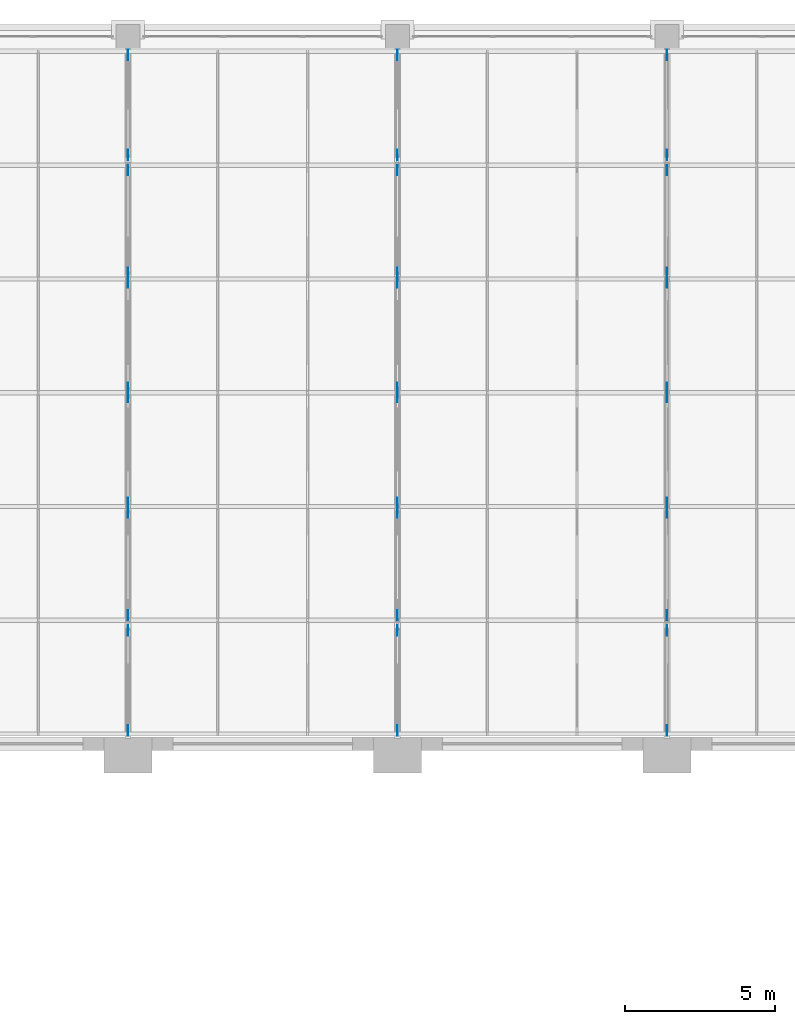
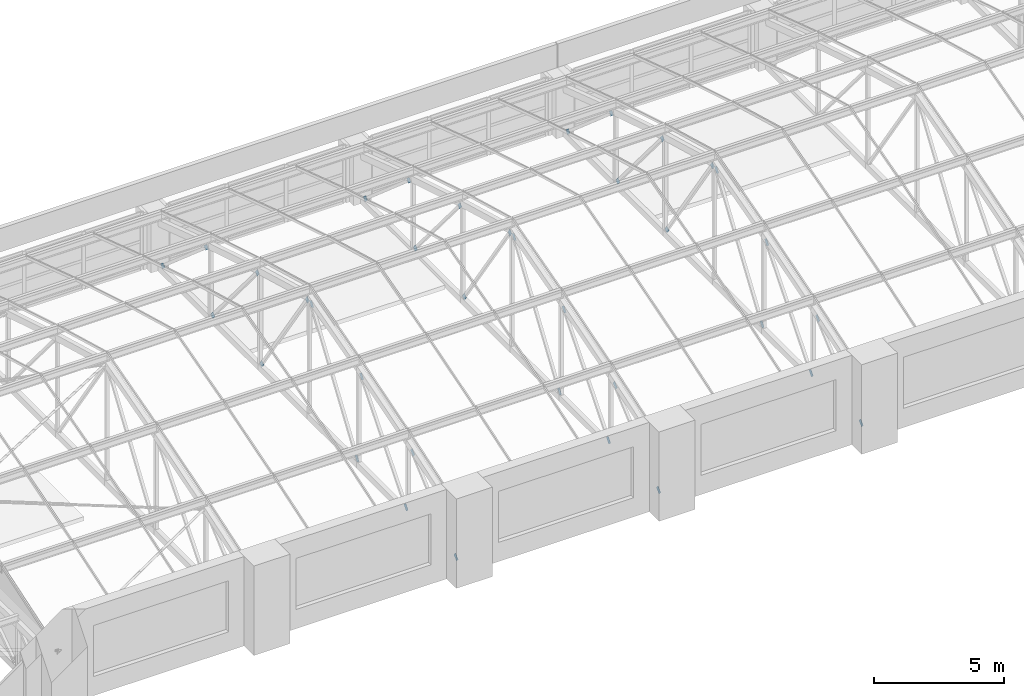
# One storey, part 67 of 82: 36 discrete accessories.
"""IFC4 building model written with IfcOpenShell, lengths in metres."""

import ifcopenshell
import ifcopenshell.guid

model = None  # the IFC model being written
_history = None  # IfcOwnerHistory: only IFC2X3 demands one
_inside = {}  # id of a spatial element -> (the spatial element, [elements in it])
_under = {}  # id of a project, library or spatial element -> (it, [spatial elements below it])
_declared = {}  # id of a project -> (the project, [libraries it declares])
_typed = {}  # id of a type object -> (the type object, [elements of that type])
_made_of = {}  # id of a material, layer set ... -> (it, [elements and type objects made of it])


def new_model(schema):
    """Start an empty IFC model of exactly this schema.

    Asked for "IFC4X3", IfcOpenShell would pick the latest addendum, in which some entities
    have other attributes; the version numbers below select the first issue.
    IFC2X3 requires an IfcOwnerHistory on every rooted entity: one is made here for all.
    """
    global model, _history
    if schema == "IFC4X3":
        model = ifcopenshell.file(schema_version=(4, 3, 0, 0))
    else:
        model = ifcopenshell.file(schema=schema)
    _inside.clear()
    _under.clear()
    _declared.clear()
    _typed.clear()
    _made_of.clear()
    _history = None
    if model.schema == "IFC2X3":
        org = make("IfcOrganization", Name="unknown")
        user = make(
            "IfcPersonAndOrganization",
            ThePerson=make("IfcPerson", FamilyName="unknown"),
            TheOrganization=org,
        )
        app = make(
            "IfcApplication",
            ApplicationDeveloper=org,
            Version="unknown",
            ApplicationFullName="unknown",
            ApplicationIdentifier="unknown",
        )
        _history = make(
            "IfcOwnerHistory",
            OwningUser=user,
            OwningApplication=app,
            ChangeAction="ADDED",
            CreationDate=0,
        )
    return model


def make(cls, **values):
    """One entity of the class cls with the attributes given. An attribute that is None is left unset."""
    return model.create_entity(
        cls, **{name: value for name, value in values.items() if value is not None}
    )


def rooted(cls, **values):
    """An entity with a GlobalId (a new one), such as an element, a storey or a relation."""
    return make(cls, GlobalId=ifcopenshell.guid.new(), OwnerHistory=_history, **values)


def si_unit(unit_type, name, prefix=None):
    """IfcSIUnit, for example si_unit("LENGTHUNIT", "METRE", prefix="MILLI")."""
    return make("IfcSIUnit", UnitType=unit_type, Prefix=prefix, Name=name)


def assignment(units):
    """IfcUnitAssignment: the units of a project."""
    return None if units is None else make("IfcUnitAssignment", Units=units)


def point(xyz):
    """IfcCartesianPoint."""
    return None if xyz is None else make("IfcCartesianPoint", Coordinates=xyz)


def direction(xyz):
    """IfcDirection."""
    return None if xyz is None else make("IfcDirection", DirectionRatios=xyz)


def frame(location, z_axis=None, x_axis=None):
    """IfcAxis2Placement3D, a coordinate frame: its origin and axes. An axis left out is left unset."""
    return make(
        "IfcAxis2Placement3D",
        Location=point(location),
        Axis=direction(z_axis),
        RefDirection=direction(x_axis),
    )


def origin():
    """The frame at (0, 0, 0) with its axes left unset."""
    return frame((0.0, 0.0, 0.0))


def place(relative_to, where):
    """IfcLocalPlacement: puts the frame where relative to a parent placement (None: the world)."""
    return make(
        "IfcLocalPlacement", PlacementRelTo=relative_to, RelativePlacement=where
    )


def context(
    kind, dimensions, precision=None, world=None, true_north=None, identifier=None
):
    """IfcGeometricRepresentationContext, for example the 3D "Model" context."""
    return make(
        "IfcGeometricRepresentationContext",
        ContextIdentifier=identifier,
        ContextType=kind,
        CoordinateSpaceDimension=dimensions,
        Precision=precision,
        WorldCoordinateSystem=world,
        TrueNorth=true_north,
    )


def subcontext(parent, identifier, kind, view, scale=None):
    """IfcGeometricRepresentationSubContext, for example "Body" below "Model"."""
    return make(
        "IfcGeometricRepresentationSubContext",
        ContextIdentifier=identifier,
        ContextType=kind,
        ParentContext=parent,
        TargetScale=scale,
        TargetView=view,
    )


def project(units=None, contexts=None):
    """IfcProject with its units and contexts."""
    return rooted(
        "IfcProject",
        Name="project",
        RepresentationContexts=contexts,
        UnitsInContext=assignment(units),
    )


def spatial(cls, under=None, at=None, **own):
    """A site, building, storey or space (cls), placed at a placement, below another one or the project."""
    s = rooted(cls, ObjectPlacement=at, **own)
    if under is not None:
        _under.setdefault(under.id(), (under, []))[1].append(s)
    return s


def polyline(points):
    """IfcPolyline through the points."""
    return make("IfcPolyline", Points=[point(p) for p in points])


def outline(outer, holes=None, kind="AREA"):
    """IfcArbitraryClosedProfileDef: a profile drawn as a closed curve; with holes, ...WithVoids."""
    if holes is None:
        return make("IfcArbitraryClosedProfileDef", ProfileType=kind, OuterCurve=outer)
    return make(
        "IfcArbitraryProfileDefWithVoids",
        ProfileType=kind,
        OuterCurve=outer,
        InnerCurves=holes,
    )


def extrude(swept, where, along, depth):
    """IfcExtrudedAreaSolid: the profile swept, set in the frame where, extruded along a direction by depth."""
    return make(
        "IfcExtrudedAreaSolid",
        SweptArea=swept,
        Position=where,
        ExtrudedDirection=direction(along),
        Depth=depth,
    )


def shape(context_of_items, identifier, shape_type, items):
    """IfcShapeRepresentation: the items that make up one representation, for example the "Body"."""
    return make(
        "IfcShapeRepresentation",
        ContextOfItems=context_of_items,
        RepresentationIdentifier=identifier,
        RepresentationType=shape_type,
        Items=items,
    )


def material(Name=None, Category=None):
    """IfcMaterial."""
    return make("IfcMaterial", Name=Name, Category=Category)


def layer(
    of_material, thickness, ventilated=None, Name=None, Category=None, Priority=None
):
    """IfcMaterialLayer: one layer of a wall or slab, of a material (None: an air gap)."""
    return make(
        "IfcMaterialLayer",
        Material=of_material,
        LayerThickness=thickness,
        IsVentilated=ventilated,
        Name=Name,
        Category=Category,
        Priority=Priority,
    )


def layer_set(layers, Name=None):
    """IfcMaterialLayerSet."""
    return make("IfcMaterialLayerSet", MaterialLayers=layers, LayerSetName=Name)


def made_of(thing, what):
    """Note that an element or type object is made of a material, layer set ...; save() writes the relation."""
    if what is not None:
        _made_of.setdefault(what.id(), (what, []))[1].append(thing)
    return thing


def type_object(cls, material=None, **own):
    """A type object (cls), such as IfcWallType, which elements share."""
    return made_of(rooted(cls, **own), material)


def element(
    cls,
    number,
    at=None,
    inside=None,
    cuts=None,
    type_object=None,
    material=None,
    context=None,
    identifier="Body",
    shape_type=None,
    held_by="IfcProductDefinitionShape",
    body=None,
    shapes=None,
    **own,
):
    """One element of the class cls, such as IfcWall. Its Tag is "e" and its number.

    at: its placement. inside: the storey or other place that contains it. cuts: it is an
    opening in that element (IfcRelVoidsElement). A single representation is given by context,
    identifier, shape_type and body (its items); several are given by shapes. held_by: the class
    of the entity that holds the representations. save() writes the other relations.
    """
    e = rooted(cls, Tag="e%d" % number, ObjectPlacement=at, **own)
    if body is not None:
        shapes = [shape(context, identifier, shape_type, body)]
    if shapes is not None:
        e.Representation = make(held_by, Representations=shapes)
    if inside is not None:
        _inside.setdefault(inside.id(), (inside, []))[1].append(e)
    if cuts is not None:
        rooted(
            "IfcRelVoidsElement", RelatingBuildingElement=cuts, RelatedOpeningElement=e
        )
    if type_object is not None:
        _typed.setdefault(type_object.id(), (type_object, []))[1].append(e)
    return made_of(e, material)


def aggregate(whole, parts):
    """IfcRelAggregates: a whole, such as a stair, and the parts it consists of."""
    return rooted("IfcRelAggregates", RelatingObject=whole, RelatedObjects=parts)


def save(model, path):
    """Write the relations noted so far, then the file.

    IfcRelAggregates (storeys below a building ...), IfcRelContainedInSpatialStructure (elements
    in a storey), IfcRelDefinesByType, IfcRelAssociatesMaterial and IfcRelDeclares: one each for
    every whole, place, type object, material and project.
    """
    for whole, parts in _under.values():
        aggregate(whole, parts)
    for where, things in _inside.values():
        rooted(
            "IfcRelContainedInSpatialStructure",
            RelatedElements=things,
            RelatingStructure=where,
        )
    for kind, things in _typed.values():
        rooted("IfcRelDefinesByType", RelatedObjects=things, RelatingType=kind)
    for what, things in _made_of.values():
        rooted("IfcRelAssociatesMaterial", RelatedObjects=things, RelatingMaterial=what)
    for by, libraries in _declared.values():
        rooted("IfcRelDeclares", RelatingContext=by, RelatedDefinitions=libraries)
    model.write(path)


model = new_model("IFC4")

# Units and contexts
model_context = context("Model", 3, precision=1e-05, world=origin(), true_north=direction((0.0, 1.0)))
body_context = subcontext(model_context, "Body", "Model", "MODEL_VIEW")
ifc_project = project(units=[si_unit("LENGTHUNIT", "METRE"), si_unit("AREAUNIT", "SQUARE_METRE"), si_unit("VOLUMEUNIT", "CUBIC_METRE"), si_unit("PLANEANGLEUNIT", "RADIAN"), si_unit("MASSUNIT", "GRAM", prefix="KILO")], contexts=[model_context])

# Site, building, storey
site_placement = place(None, origin())
site = spatial("IfcSite", under=ifc_project, at=site_placement, CompositionType="ELEMENT")
building_placement = place(site_placement, origin())
building = spatial("IfcBuilding", under=site, at=building_placement, Name="Aravalli Gate Trade Fair Centre", CompositionType="ELEMENT")
storey_placement = place(building_placement, frame((0.0, 0.0, 19.199951171875)))
storey = spatial("IfcBuildingStorey", under=building, at=storey_placement, Name="L04", CompositionType="ELEMENT", Elevation=19.199951171875)

# Discrete accessories
ifc_material = material(Name="Steel E350", Category="steel")
ifc_layer = layer(ifc_material, 0.010009765625)
ifc_layer_set = layer_set([ifc_layer], Name="Steel E350")
discrete_accessory_type = type_object("IfcDiscreteAccessoryType", Name="Gusset plate 200 x 200 x 10", PredefinedType="USERDEFINED", material=ifc_layer_set)
discrete_accessory_1_placement = place(storey_placement, frame((32.9951171875, 109.990234375, 0.355224609375), z_axis=(-1.0, 0.0, 0.0), x_axis=(0.0, -0.756666176812, -0.653801420057)))
element("IfcDiscreteAccessory", 1, at=discrete_accessory_1_placement, inside=storey, type_object=discrete_accessory_type, Name="Gusset plate Concourse vault truss CT1 line 04 diagonal D1 end A", ObjectType="GUSSET PLATE", PredefinedType="USERDEFINED", context=body_context, shape_type="SweptSolid", body=[
    extrude(outline(polyline([(0.0, 0.0), (0.28006281897354945, 0.0), (0.28009048635135136, 0.1997461238225559), (5.27808438066657e-05, 0.2000904762631978), (0.0, 0.0)])), origin(), (0.0, 0.0, -1.0), 0.010009765625),
])
discrete_accessory_2_placement = place(storey_placement, frame((32.9951171875, 112.988525390625, 3.212158203125), z_axis=(-1.0, 0.0, 0.0), x_axis=(0.0, 0.756293179151, 0.654232853937)))
element("IfcDiscreteAccessory", 2, at=discrete_accessory_2_placement, inside=storey, type_object=discrete_accessory_type, Name="Gusset plate Concourse vault truss CT1 line 04 diagonal D1 end B", ObjectType="GUSSET PLATE", PredefinedType="USERDEFINED", context=body_context, shape_type="SweptSolid", body=[
    extrude(outline(polyline([(0.0, 0.0), (0.2798781315371493, 0.0), (0.27981679720709274, 0.20009047382409476), (-6.133433005656164e-05, 0.20009047382409473), (0.0, 0.0)])), origin(), (0.0, 0.0, -1.0), 0.010009765625),
])
discrete_accessory_3_placement = place(storey_placement, frame((33.0048828125, 113.677978515625, 0.517578125), z_axis=(1.0, 0.0, 0.0), x_axis=(0.0, -0.642926085547, -0.765928226744)))
element("IfcDiscreteAccessory", 3, at=discrete_accessory_3_placement, inside=storey, type_object=discrete_accessory_type, Name="Gusset plate Concourse vault truss CT1 line 04 diagonal D2 end A", ObjectType="GUSSET PLATE", PredefinedType="USERDEFINED", context=body_context, shape_type="SweptSolid", body=[
    extrude(outline(polyline([(0.0, 0.0), (0.2798636494456477, 2.7755575615628914e-17), (0.2799929267542597, 0.1999655872196676), (-2.768706774226859e-05, 0.20015258141565), (0.0, 0.0)])), origin(), (0.0, 0.0, -1.0), 0.010009765625),
])
discrete_accessory_4_placement = place(storey_placement, frame((32.9951171875, 116.918212890625, 4.374267578125), z_axis=(-1.0, 0.0, 0.0), x_axis=(0.0, 0.643008166301, 0.765859320025)))
element("IfcDiscreteAccessory", 4, at=discrete_accessory_4_placement, inside=storey, type_object=discrete_accessory_type, Name="Gusset plate Concourse vault truss CT1 line 04 diagonal D2 end B", ObjectType="GUSSET PLATE", PredefinedType="USERDEFINED", context=body_context, shape_type="SweptSolid", body=[
    extrude(outline(polyline([(0.0, 0.0), (0.28020760962713065, 0.0), (0.2802567470255098, 0.2001525772990151), (-0.00010784701722174606, 0.19996559992596197), (0.0, 0.0)])), origin(), (0.0, 0.0, -1.0), 0.010009765625),
])
discrete_accessory_5_placement = place(storey_placement, frame((33.0048828125, 117.432373046875, 0.521728515625), z_axis=(1.0, 0.0, 0.0), x_axis=(0.0, -0.563120416317, -0.826374852429)))
element("IfcDiscreteAccessory", 5, at=discrete_accessory_5_placement, inside=storey, type_object=discrete_accessory_type, Name="Gusset plate Concourse vault truss CT1 line 04 diagonal D3 end A", ObjectType="GUSSET PLATE", PredefinedType="USERDEFINED", context=body_context, shape_type="SweptSolid", body=[
    extrude(outline(polyline([(0.0, 0.0), (0.28007303443443027, 0.0), (0.2800062095132191, 0.19996442554114646), (0.00013492675174497926, 0.20010190611153644), (0.0, 0.0)])), origin(), (0.0, 0.0, -1.0), 0.010009765625),
])
discrete_accessory_6_placement = place(storey_placement, frame((32.9951171875, 120.77392578125, 5.423828125), z_axis=(-1.0, 0.0, 0.0), x_axis=(0.0, 0.564121160258, 0.82569202282)))
element("IfcDiscreteAccessory", 6, at=discrete_accessory_6_placement, inside=storey, type_object=discrete_accessory_type, Name="Gusset plate Concourse vault truss CT1 line 04 diagonal D3 end B", ObjectType="GUSSET PLATE", PredefinedType="USERDEFINED", context=body_context, shape_type="SweptSolid", body=[
    extrude(outline(polyline([(0.0, 0.0), (0.2800089688227054, -2.7755575615628914e-17), (0.2801803266875835, 0.19976261286755298), (0.00010749779101053292, 0.20010192272670302), (0.0, 0.0)])), origin(), (0.0, 0.0, -1.0), 0.010009765625),
])
discrete_accessory_7_placement = place(storey_placement, frame((32.9951171875, 121.2607421875, 5.31103515625), z_axis=(-1.0, 0.0, 0.0), x_axis=(0.0, -0.563120416317, 0.826374852429)))
element("IfcDiscreteAccessory", 7, at=discrete_accessory_7_placement, inside=storey, type_object=discrete_accessory_type, Name="Gusset plate Concourse vault truss CT1 line 04 diagonal D4 end A", ObjectType="GUSSET PLATE", PredefinedType="USERDEFINED", context=body_context, shape_type="SweptSolid", body=[
    extrude(outline(polyline([(0.0, 0.0), (0.28007303443443027, 0.0), (0.2800062095132191, 0.19996442554114646), (0.00013492675174497926, 0.20010190611153644), (0.0, 0.0)])), origin(), (0.0, 0.0, -1.0), 0.010009765625),
])
discrete_accessory_8_placement = place(storey_placement, frame((33.0048828125, 124.602294921875, 0.408935546875), z_axis=(1.0, 0.0, 0.0), x_axis=(0.0, 0.563526286674, -0.826098132323)))
element("IfcDiscreteAccessory", 8, at=discrete_accessory_8_placement, inside=storey, type_object=discrete_accessory_type, Name="Gusset plate Concourse vault truss CT1 line 04 diagonal D4 end B", ObjectType="GUSSET PLATE", PredefinedType="USERDEFINED", context=body_context, shape_type="SweptSolid", body=[
    extrude(outline(polyline([(0.0, 0.0), (0.279871316528615, 0.0), (0.2800363695260922, 0.19996436858870342), (-3.6631116859461854e-05, 0.20010194824853597), (0.0, 0.0)])), origin(), (0.0, 0.0, -1.0), 0.010009765625),
])
discrete_accessory_9_placement = place(storey_placement, frame((32.9951171875, 125.128662109375, 4.24560546875), z_axis=(-1.0, 0.0, 0.0), x_axis=(0.0, -0.643008166301, 0.765859320025)))
element("IfcDiscreteAccessory", 9, at=discrete_accessory_9_placement, inside=storey, type_object=discrete_accessory_type, Name="Gusset plate Concourse vault truss CT1 line 04 diagonal D5 end A", ObjectType="GUSSET PLATE", PredefinedType="USERDEFINED", context=body_context, shape_type="SweptSolid", body=[
    extrude(outline(polyline([(0.0, 0.0), (0.28020760962713065, 0.0), (0.2803154566443524, 0.19996559992596197), (0.00010784701722174606, 0.19996559992596197), (0.0, 0.0)])), origin(), (0.0, 0.0, -1.0), 0.010009765625),
])
discrete_accessory_10_placement = place(storey_placement, frame((33.0048828125, 128.368896484375, 0.388916015625), z_axis=(1.0, 0.0, 0.0), x_axis=(0.0, 0.642926085547, -0.765928226744)))
element("IfcDiscreteAccessory", 10, at=discrete_accessory_10_placement, inside=storey, type_object=discrete_accessory_type, Name="Gusset plate Concourse vault truss CT1 line 04 diagonal D5 end B", ObjectType="GUSSET PLATE", PredefinedType="USERDEFINED", context=body_context, shape_type="SweptSolid", body=[
    extrude(outline(polyline([(0.0, 0.0), (0.2798636494456477, -2.7755575615628914e-17), (0.2797343721370357, 0.19996558721966756), (-0.00012927730861199416, 0.1999655872196676), (0.0, 0.0)])), origin(), (0.0, 0.0, -1.0), 0.010009765625),
])
discrete_accessory_11_placement = place(storey_placement, frame((32.9951171875, 129.080810546875, 3.060791015625), z_axis=(-1.0, 0.0, 0.0), x_axis=(0.0, -0.756666176812, 0.653801420057)))
element("IfcDiscreteAccessory", 11, at=discrete_accessory_11_placement, inside=storey, type_object=discrete_accessory_type, Name="Gusset plate Concourse vault truss CT1 line 04 diagonal D6 end A", ObjectType="GUSSET PLATE", PredefinedType="USERDEFINED", context=body_context, shape_type="SweptSolid", body=[
    extrude(outline(polyline([(0.0, 0.0), (0.28006281897354945, 0.0), (0.2800100381297428, 0.2000904762631978), (0.00013195210951666425, 0.19993085677587924), (0.0, 0.0)])), origin(), (0.0, 0.0, -1.0), 0.010009765625),
])
discrete_accessory_12_placement = place(storey_placement, frame((33.0048828125, 132.209716796875, 0.355224609375), z_axis=(1.0, 0.0, 0.0), x_axis=(0.0, 0.756666176812, -0.653801420057)))
element("IfcDiscreteAccessory", 12, at=discrete_accessory_12_placement, inside=storey, type_object=discrete_accessory_type, Name="Gusset plate Concourse vault truss CT1 line 04 diagonal D6 end B", ObjectType="GUSSET PLATE", PredefinedType="USERDEFINED", context=body_context, shape_type="SweptSolid", body=[
    extrude(outline(polyline([(0.0, 0.0), (0.28006281897354945, 0.0), (0.2802752193046747, 0.19990574330987443), (5.27808438066657e-05, 0.2000904762631978), (0.0, 0.0)])), origin(), (0.0, 0.0, -1.0), 0.010009765625),
])
discrete_accessory_13_placement = place(storey_placement, frame((41.9951171875, 109.990234375, 0.355224609375), z_axis=(-1.0, 0.0, 0.0), x_axis=(0.0, -0.756666176812, -0.653801420057)))
element("IfcDiscreteAccessory", 13, at=discrete_accessory_13_placement, inside=storey, type_object=discrete_accessory_type, Name="Gusset plate Concourse vault truss CT1 line 05 diagonal D1 end A", ObjectType="GUSSET PLATE", PredefinedType="USERDEFINED", context=body_context, shape_type="SweptSolid", body=[
    extrude(outline(polyline([(0.0, 0.0), (0.28006281897354945, 0.0), (0.28009048635135136, 0.1997461238225559), (5.27808438066657e-05, 0.2000904762631978), (0.0, 0.0)])), origin(), (0.0, 0.0, -1.0), 0.010009765625),
])
discrete_accessory_14_placement = place(storey_placement, frame((41.9951171875, 112.988525390625, 3.212158203125), z_axis=(-1.0, 0.0, 0.0), x_axis=(0.0, 0.756293179151, 0.654232853937)))
element("IfcDiscreteAccessory", 14, at=discrete_accessory_14_placement, inside=storey, type_object=discrete_accessory_type, Name="Gusset plate Concourse vault truss CT1 line 05 diagonal D1 end B", ObjectType="GUSSET PLATE", PredefinedType="USERDEFINED", context=body_context, shape_type="SweptSolid", body=[
    extrude(outline(polyline([(0.0, 0.0), (0.2798781315371493, 0.0), (0.27981679720709274, 0.20009047382409476), (-6.133433005656164e-05, 0.20009047382409473), (0.0, 0.0)])), origin(), (0.0, 0.0, -1.0), 0.010009765625),
])
discrete_accessory_15_placement = place(storey_placement, frame((42.0048828125, 113.677978515625, 0.517578125), z_axis=(1.0, 0.0, 0.0), x_axis=(0.0, -0.642926085547, -0.765928226744)))
element("IfcDiscreteAccessory", 15, at=discrete_accessory_15_placement, inside=storey, type_object=discrete_accessory_type, Name="Gusset plate Concourse vault truss CT1 line 05 diagonal D2 end A", ObjectType="GUSSET PLATE", PredefinedType="USERDEFINED", context=body_context, shape_type="SweptSolid", body=[
    extrude(outline(polyline([(0.0, 0.0), (0.2798636494456477, 2.7755575615628914e-17), (0.2799929267542597, 0.1999655872196676), (-2.768706774226859e-05, 0.20015258141565), (0.0, 0.0)])), origin(), (0.0, 0.0, -1.0), 0.010009765625),
])
discrete_accessory_16_placement = place(storey_placement, frame((41.9951171875, 116.918212890625, 4.374267578125), z_axis=(-1.0, 0.0, 0.0), x_axis=(0.0, 0.643008166301, 0.765859320025)))
element("IfcDiscreteAccessory", 16, at=discrete_accessory_16_placement, inside=storey, type_object=discrete_accessory_type, Name="Gusset plate Concourse vault truss CT1 line 05 diagonal D2 end B", ObjectType="GUSSET PLATE", PredefinedType="USERDEFINED", context=body_context, shape_type="SweptSolid", body=[
    extrude(outline(polyline([(0.0, 0.0), (0.28020760962713065, 0.0), (0.2802567470255098, 0.2001525772990151), (-0.00010784701722174606, 0.19996559992596197), (0.0, 0.0)])), origin(), (0.0, 0.0, -1.0), 0.010009765625),
])
discrete_accessory_17_placement = place(storey_placement, frame((42.0048828125, 117.432373046875, 0.521728515625), z_axis=(1.0, 0.0, 0.0), x_axis=(0.0, -0.563120416317, -0.826374852429)))
element("IfcDiscreteAccessory", 17, at=discrete_accessory_17_placement, inside=storey, type_object=discrete_accessory_type, Name="Gusset plate Concourse vault truss CT1 line 05 diagonal D3 end A", ObjectType="GUSSET PLATE", PredefinedType="USERDEFINED", context=body_context, shape_type="SweptSolid", body=[
    extrude(outline(polyline([(0.0, 0.0), (0.28007303443443027, 0.0), (0.2800062095132191, 0.19996442554114646), (0.00013492675174497926, 0.20010190611153644), (0.0, 0.0)])), origin(), (0.0, 0.0, -1.0), 0.010009765625),
])
discrete_accessory_18_placement = place(storey_placement, frame((41.9951171875, 120.77392578125, 5.423828125), z_axis=(-1.0, 0.0, 0.0), x_axis=(0.0, 0.564121160258, 0.82569202282)))
element("IfcDiscreteAccessory", 18, at=discrete_accessory_18_placement, inside=storey, type_object=discrete_accessory_type, Name="Gusset plate Concourse vault truss CT1 line 05 diagonal D3 end B", ObjectType="GUSSET PLATE", PredefinedType="USERDEFINED", context=body_context, shape_type="SweptSolid", body=[
    extrude(outline(polyline([(0.0, 0.0), (0.2800089688227054, -2.7755575615628914e-17), (0.2801803266875835, 0.19976261286755298), (0.00010749779101053292, 0.20010192272670302), (0.0, 0.0)])), origin(), (0.0, 0.0, -1.0), 0.010009765625),
])
discrete_accessory_19_placement = place(storey_placement, frame((41.9951171875, 121.2607421875, 5.31103515625), z_axis=(-1.0, 0.0, 0.0), x_axis=(0.0, -0.563120416317, 0.826374852429)))
element("IfcDiscreteAccessory", 19, at=discrete_accessory_19_placement, inside=storey, type_object=discrete_accessory_type, Name="Gusset plate Concourse vault truss CT1 line 05 diagonal D4 end A", ObjectType="GUSSET PLATE", PredefinedType="USERDEFINED", context=body_context, shape_type="SweptSolid", body=[
    extrude(outline(polyline([(0.0, 0.0), (0.28007303443443027, 0.0), (0.2800062095132191, 0.19996442554114646), (0.00013492675174497926, 0.20010190611153644), (0.0, 0.0)])), origin(), (0.0, 0.0, -1.0), 0.010009765625),
])
discrete_accessory_20_placement = place(storey_placement, frame((42.0048828125, 124.602294921875, 0.408935546875), z_axis=(1.0, 0.0, 0.0), x_axis=(0.0, 0.563526286674, -0.826098132323)))
element("IfcDiscreteAccessory", 20, at=discrete_accessory_20_placement, inside=storey, type_object=discrete_accessory_type, Name="Gusset plate Concourse vault truss CT1 line 05 diagonal D4 end B", ObjectType="GUSSET PLATE", PredefinedType="USERDEFINED", context=body_context, shape_type="SweptSolid", body=[
    extrude(outline(polyline([(0.0, 0.0), (0.279871316528615, 0.0), (0.2800363695260922, 0.19996436858870342), (-3.6631116859461854e-05, 0.20010194824853597), (0.0, 0.0)])), origin(), (0.0, 0.0, -1.0), 0.010009765625),
])
discrete_accessory_21_placement = place(storey_placement, frame((41.9951171875, 125.128662109375, 4.24560546875), z_axis=(-1.0, 0.0, 0.0), x_axis=(0.0, -0.643008166301, 0.765859320025)))
element("IfcDiscreteAccessory", 21, at=discrete_accessory_21_placement, inside=storey, type_object=discrete_accessory_type, Name="Gusset plate Concourse vault truss CT1 line 05 diagonal D5 end A", ObjectType="GUSSET PLATE", PredefinedType="USERDEFINED", context=body_context, shape_type="SweptSolid", body=[
    extrude(outline(polyline([(0.0, 0.0), (0.28020760962713065, 0.0), (0.2803154566443524, 0.19996559992596197), (0.00010784701722174606, 0.19996559992596197), (0.0, 0.0)])), origin(), (0.0, 0.0, -1.0), 0.010009765625),
])
discrete_accessory_22_placement = place(storey_placement, frame((42.0048828125, 128.368896484375, 0.388916015625), z_axis=(1.0, 0.0, 0.0), x_axis=(0.0, 0.642926085547, -0.765928226744)))
element("IfcDiscreteAccessory", 22, at=discrete_accessory_22_placement, inside=storey, type_object=discrete_accessory_type, Name="Gusset plate Concourse vault truss CT1 line 05 diagonal D5 end B", ObjectType="GUSSET PLATE", PredefinedType="USERDEFINED", context=body_context, shape_type="SweptSolid", body=[
    extrude(outline(polyline([(0.0, 0.0), (0.2798636494456477, -2.7755575615628914e-17), (0.2797343721370357, 0.19996558721966756), (-0.00012927730861199416, 0.1999655872196676), (0.0, 0.0)])), origin(), (0.0, 0.0, -1.0), 0.010009765625),
])
discrete_accessory_23_placement = place(storey_placement, frame((41.9951171875, 129.080810546875, 3.060791015625), z_axis=(-1.0, 0.0, 0.0), x_axis=(0.0, -0.756666176812, 0.653801420057)))
element("IfcDiscreteAccessory", 23, at=discrete_accessory_23_placement, inside=storey, type_object=discrete_accessory_type, Name="Gusset plate Concourse vault truss CT1 line 05 diagonal D6 end A", ObjectType="GUSSET PLATE", PredefinedType="USERDEFINED", context=body_context, shape_type="SweptSolid", body=[
    extrude(outline(polyline([(0.0, 0.0), (0.28006281897354945, 0.0), (0.2800100381297428, 0.2000904762631978), (0.00013195210951666425, 0.19993085677587924), (0.0, 0.0)])), origin(), (0.0, 0.0, -1.0), 0.010009765625),
])
discrete_accessory_24_placement = place(storey_placement, frame((42.0048828125, 132.209716796875, 0.355224609375), z_axis=(1.0, 0.0, 0.0), x_axis=(0.0, 0.756666176812, -0.653801420057)))
element("IfcDiscreteAccessory", 24, at=discrete_accessory_24_placement, inside=storey, type_object=discrete_accessory_type, Name="Gusset plate Concourse vault truss CT1 line 05 diagonal D6 end B", ObjectType="GUSSET PLATE", PredefinedType="USERDEFINED", context=body_context, shape_type="SweptSolid", body=[
    extrude(outline(polyline([(0.0, 0.0), (0.28006281897354945, 0.0), (0.2802752193046747, 0.19990574330987443), (5.27808438066657e-05, 0.2000904762631978), (0.0, 0.0)])), origin(), (0.0, 0.0, -1.0), 0.010009765625),
])
discrete_accessory_25_placement = place(storey_placement, frame((50.9951171875, 109.990234375, 0.355224609375), z_axis=(-1.0, 0.0, 0.0), x_axis=(0.0, -0.756666176812, -0.653801420057)))
element("IfcDiscreteAccessory", 25, at=discrete_accessory_25_placement, inside=storey, type_object=discrete_accessory_type, Name="Gusset plate Concourse vault truss CT1 line 06 diagonal D1 end A", ObjectType="GUSSET PLATE", PredefinedType="USERDEFINED", context=body_context, shape_type="SweptSolid", body=[
    extrude(outline(polyline([(0.0, 0.0), (0.28006281897354945, 0.0), (0.28009048635135136, 0.1997461238225559), (5.27808438066657e-05, 0.2000904762631978), (0.0, 0.0)])), origin(), (0.0, 0.0, -1.0), 0.010009765625),
])
discrete_accessory_26_placement = place(storey_placement, frame((50.9951171875, 112.988525390625, 3.212158203125), z_axis=(-1.0, 0.0, 0.0), x_axis=(0.0, 0.756293179151, 0.654232853937)))
element("IfcDiscreteAccessory", 26, at=discrete_accessory_26_placement, inside=storey, type_object=discrete_accessory_type, Name="Gusset plate Concourse vault truss CT1 line 06 diagonal D1 end B", ObjectType="GUSSET PLATE", PredefinedType="USERDEFINED", context=body_context, shape_type="SweptSolid", body=[
    extrude(outline(polyline([(0.0, 0.0), (0.2798781315371493, 0.0), (0.27981679720709274, 0.20009047382409476), (-6.133433005656164e-05, 0.20009047382409473), (0.0, 0.0)])), origin(), (0.0, 0.0, -1.0), 0.010009765625),
])
discrete_accessory_27_placement = place(storey_placement, frame((51.0048828125, 113.677978515625, 0.517578125), z_axis=(1.0, 0.0, 0.0), x_axis=(0.0, -0.642926085547, -0.765928226744)))
element("IfcDiscreteAccessory", 27, at=discrete_accessory_27_placement, inside=storey, type_object=discrete_accessory_type, Name="Gusset plate Concourse vault truss CT1 line 06 diagonal D2 end A", ObjectType="GUSSET PLATE", PredefinedType="USERDEFINED", context=body_context, shape_type="SweptSolid", body=[
    extrude(outline(polyline([(0.0, 0.0), (0.2798636494456477, 2.7755575615628914e-17), (0.2799929267542597, 0.1999655872196676), (-2.768706774226859e-05, 0.20015258141565), (0.0, 0.0)])), origin(), (0.0, 0.0, -1.0), 0.010009765625),
])
discrete_accessory_28_placement = place(storey_placement, frame((50.9951171875, 116.918212890625, 4.374267578125), z_axis=(-1.0, 0.0, 0.0), x_axis=(0.0, 0.643008166301, 0.765859320025)))
element("IfcDiscreteAccessory", 28, at=discrete_accessory_28_placement, inside=storey, type_object=discrete_accessory_type, Name="Gusset plate Concourse vault truss CT1 line 06 diagonal D2 end B", ObjectType="GUSSET PLATE", PredefinedType="USERDEFINED", context=body_context, shape_type="SweptSolid", body=[
    extrude(outline(polyline([(0.0, 0.0), (0.28020760962713065, 0.0), (0.2802567470255098, 0.2001525772990151), (-0.00010784701722174606, 0.19996559992596197), (0.0, 0.0)])), origin(), (0.0, 0.0, -1.0), 0.010009765625),
])
discrete_accessory_29_placement = place(storey_placement, frame((51.0048828125, 117.432373046875, 0.521728515625), z_axis=(1.0, 0.0, 0.0), x_axis=(0.0, -0.563120416317, -0.826374852429)))
element("IfcDiscreteAccessory", 29, at=discrete_accessory_29_placement, inside=storey, type_object=discrete_accessory_type, Name="Gusset plate Concourse vault truss CT1 line 06 diagonal D3 end A", ObjectType="GUSSET PLATE", PredefinedType="USERDEFINED", context=body_context, shape_type="SweptSolid", body=[
    extrude(outline(polyline([(0.0, 0.0), (0.28007303443443027, 0.0), (0.2800062095132191, 0.19996442554114646), (0.00013492675174497926, 0.20010190611153644), (0.0, 0.0)])), origin(), (0.0, 0.0, -1.0), 0.010009765625),
])
discrete_accessory_30_placement = place(storey_placement, frame((50.9951171875, 120.77392578125, 5.423828125), z_axis=(-1.0, 0.0, 0.0), x_axis=(0.0, 0.564121160258, 0.82569202282)))
element("IfcDiscreteAccessory", 30, at=discrete_accessory_30_placement, inside=storey, type_object=discrete_accessory_type, Name="Gusset plate Concourse vault truss CT1 line 06 diagonal D3 end B", ObjectType="GUSSET PLATE", PredefinedType="USERDEFINED", context=body_context, shape_type="SweptSolid", body=[
    extrude(outline(polyline([(0.0, 0.0), (0.2800089688227054, -2.7755575615628914e-17), (0.2801803266875835, 0.19976261286755298), (0.00010749779101053292, 0.20010192272670302), (0.0, 0.0)])), origin(), (0.0, 0.0, -1.0), 0.010009765625),
])
discrete_accessory_31_placement = place(storey_placement, frame((50.9951171875, 121.2607421875, 5.31103515625), z_axis=(-1.0, 0.0, 0.0), x_axis=(0.0, -0.563120416317, 0.826374852429)))
element("IfcDiscreteAccessory", 31, at=discrete_accessory_31_placement, inside=storey, type_object=discrete_accessory_type, Name="Gusset plate Concourse vault truss CT1 line 06 diagonal D4 end A", ObjectType="GUSSET PLATE", PredefinedType="USERDEFINED", context=body_context, shape_type="SweptSolid", body=[
    extrude(outline(polyline([(0.0, 0.0), (0.28007303443443027, 0.0), (0.2800062095132191, 0.19996442554114646), (0.00013492675174497926, 0.20010190611153644), (0.0, 0.0)])), origin(), (0.0, 0.0, -1.0), 0.010009765625),
])
discrete_accessory_32_placement = place(storey_placement, frame((51.0048828125, 124.602294921875, 0.408935546875), z_axis=(1.0, 0.0, 0.0), x_axis=(0.0, 0.563526286674, -0.826098132323)))
element("IfcDiscreteAccessory", 32, at=discrete_accessory_32_placement, inside=storey, type_object=discrete_accessory_type, Name="Gusset plate Concourse vault truss CT1 line 06 diagonal D4 end B", ObjectType="GUSSET PLATE", PredefinedType="USERDEFINED", context=body_context, shape_type="SweptSolid", body=[
    extrude(outline(polyline([(0.0, 0.0), (0.279871316528615, 0.0), (0.2800363695260922, 0.19996436858870342), (-3.6631116859461854e-05, 0.20010194824853597), (0.0, 0.0)])), origin(), (0.0, 0.0, -1.0), 0.010009765625),
])
discrete_accessory_33_placement = place(storey_placement, frame((50.9951171875, 125.128662109375, 4.24560546875), z_axis=(-1.0, 0.0, 0.0), x_axis=(0.0, -0.643008166301, 0.765859320025)))
element("IfcDiscreteAccessory", 33, at=discrete_accessory_33_placement, inside=storey, type_object=discrete_accessory_type, Name="Gusset plate Concourse vault truss CT1 line 06 diagonal D5 end A", ObjectType="GUSSET PLATE", PredefinedType="USERDEFINED", context=body_context, shape_type="SweptSolid", body=[
    extrude(outline(polyline([(0.0, 0.0), (0.28020760962713065, 0.0), (0.2803154566443524, 0.19996559992596197), (0.00010784701722174606, 0.19996559992596197), (0.0, 0.0)])), origin(), (0.0, 0.0, -1.0), 0.010009765625),
])
discrete_accessory_34_placement = place(storey_placement, frame((51.0048828125, 128.368896484375, 0.388916015625), z_axis=(1.0, 0.0, 0.0), x_axis=(0.0, 0.642926085547, -0.765928226744)))
element("IfcDiscreteAccessory", 34, at=discrete_accessory_34_placement, inside=storey, type_object=discrete_accessory_type, Name="Gusset plate Concourse vault truss CT1 line 06 diagonal D5 end B", ObjectType="GUSSET PLATE", PredefinedType="USERDEFINED", context=body_context, shape_type="SweptSolid", body=[
    extrude(outline(polyline([(0.0, 0.0), (0.2798636494456477, -2.7755575615628914e-17), (0.2797343721370357, 0.19996558721966756), (-0.00012927730861199416, 0.1999655872196676), (0.0, 0.0)])), origin(), (0.0, 0.0, -1.0), 0.010009765625),
])
discrete_accessory_35_placement = place(storey_placement, frame((50.9951171875, 129.080810546875, 3.060791015625), z_axis=(-1.0, 0.0, 0.0), x_axis=(0.0, -0.756666176812, 0.653801420057)))
element("IfcDiscreteAccessory", 35, at=discrete_accessory_35_placement, inside=storey, type_object=discrete_accessory_type, Name="Gusset plate Concourse vault truss CT1 line 06 diagonal D6 end A", ObjectType="GUSSET PLATE", PredefinedType="USERDEFINED", context=body_context, shape_type="SweptSolid", body=[
    extrude(outline(polyline([(0.0, 0.0), (0.28006281897354945, 0.0), (0.2800100381297428, 0.2000904762631978), (0.00013195210951666425, 0.19993085677587924), (0.0, 0.0)])), origin(), (0.0, 0.0, -1.0), 0.010009765625),
])
discrete_accessory_36_placement = place(storey_placement, frame((51.0048828125, 132.209716796875, 0.355224609375), z_axis=(1.0, 0.0, 0.0), x_axis=(0.0, 0.756666176812, -0.653801420057)))
element("IfcDiscreteAccessory", 36, at=discrete_accessory_36_placement, inside=storey, type_object=discrete_accessory_type, Name="Gusset plate Concourse vault truss CT1 line 06 diagonal D6 end B", ObjectType="GUSSET PLATE", PredefinedType="USERDEFINED", context=body_context, shape_type="SweptSolid", body=[
    extrude(outline(polyline([(0.0, 0.0), (0.28006281897354945, 0.0), (0.2802752193046747, 0.19990574330987443), (5.27808438066657e-05, 0.2000904762631978), (0.0, 0.0)])), origin(), (0.0, 0.0, -1.0), 0.010009765625),
])

save(model, "model.ifc")
